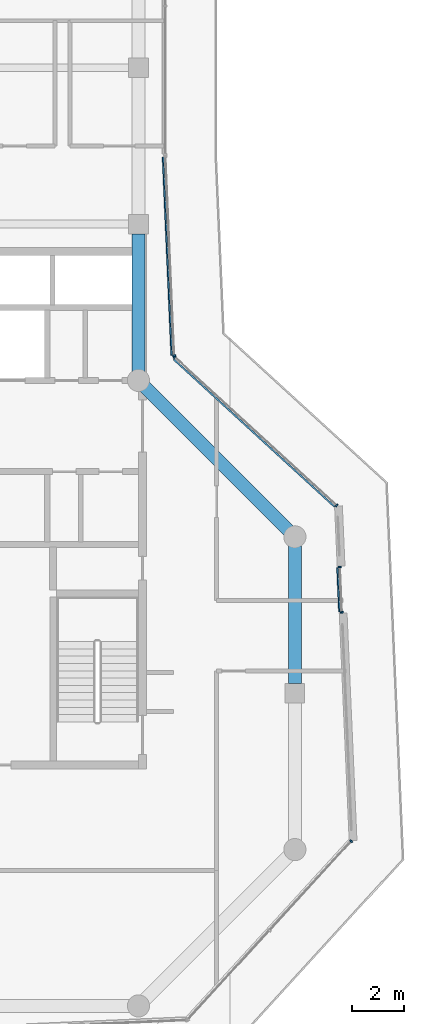
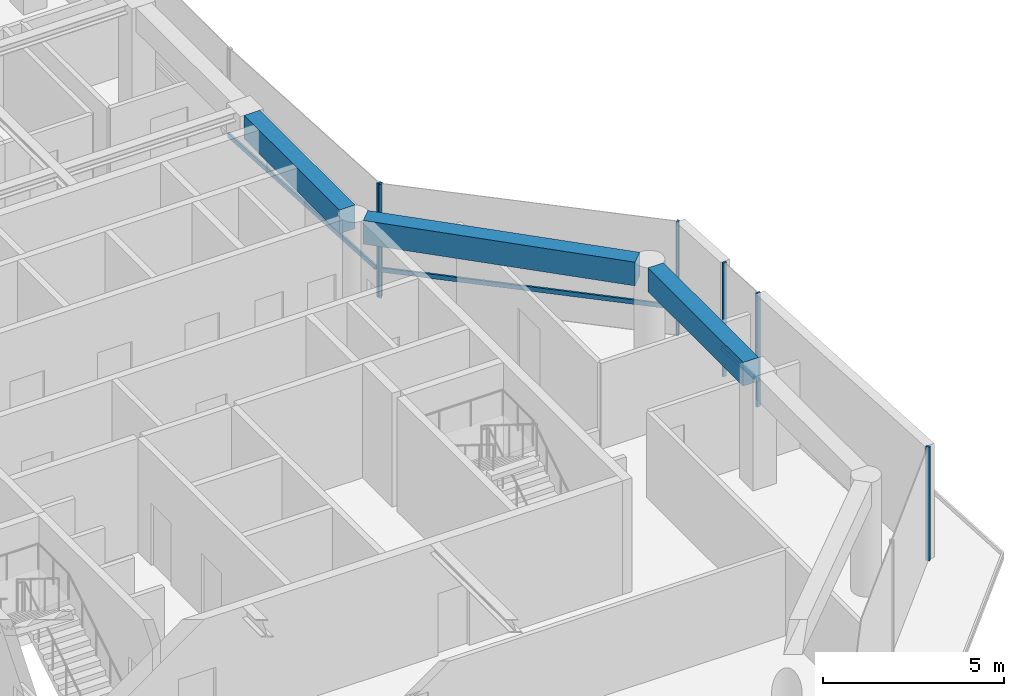
# One storey, part 5 of 20: 9 members, 3 beams, 4 elements without a shape of their own.
"""IFC4 building model written with IfcOpenShell, lengths in metres."""

from ifc_helpers import new_model, si_unit, direction, frame, origin, origin_2d, place, context, subcontext, project, spatial, rectangle, extrude, material, layer, layer_set, material_profile, profile_set, type_object, element, aggregate, save


model = new_model("IFC4")

# Units and contexts
model_context = context("Model", 3, precision=1e-05, world=origin(), true_north=direction((0.0, 1.0)))
body_context = subcontext(model_context, "Body", "Model", "MODEL_VIEW")
ifc_project = project(units=[si_unit("LENGTHUNIT", "METRE"), si_unit("AREAUNIT", "SQUARE_METRE"), si_unit("VOLUMEUNIT", "CUBIC_METRE"), si_unit("PLANEANGLEUNIT", "RADIAN"), si_unit("MASSUNIT", "GRAM", prefix="KILO")], contexts=[model_context])

# Site, building, storey
site_placement = place(None, origin())
site = spatial("IfcSite", under=ifc_project, at=site_placement, CompositionType="ELEMENT")
building_placement = place(site_placement, origin())
building = spatial("IfcBuilding", under=site, at=building_placement, Name="Welwitschia Terrace Campus", CompositionType="ELEMENT")
storey_placement = place(building_placement, frame((0.0, 0.0, 297.800048828125)))
storey = spatial("IfcBuildingStorey", under=building, at=storey_placement, Name="L66", CompositionType="ELEMENT", Elevation=297.800048828125)

# Curtain wall, member
ifc_material_1 = material(Name="Bronze anodised aluminium", Category="aluminium")
ifc_layer = layer(ifc_material_1, 0.1201171875)
ifc_layer_set = layer_set([ifc_layer], Name="Bronze anodised aluminium")
curtain_wall_type = type_object("IfcCurtainWallType", Name="Curtain wall CW2 tower 6000", PredefinedType="NOTDEFINED", material=ifc_layer_set)
curtain_wall_1_placement = place(storey_placement, origin())
curtain_wall_1 = element("IfcCurtainWall", 1, at=curtain_wall_1_placement, inside=storey, type_object=curtain_wall_type, Name="CW L66.2.0", PredefinedType="NOTDEFINED")
ifc_material_2 = material(Name="Bronze anodised aluminium", Category="aluminium")
ifc_material_profile_1 = material_profile(ifc_material_2, rectangle(XDim=0.1201171875, YDim=0.06005859375, at=origin_2d()))
ifc_profile_set_1 = profile_set([ifc_material_profile_1], Name="Bronze anodised aluminium")
member_type_1 = type_object("IfcMemberType", Name="Mullion 60x120", PredefinedType="MULLION", material=ifc_profile_set_1)
member_1_placement = place(storey_placement, frame((32.1630859375, 2.32080078125, 0.0), z_axis=(0.0, 0.0, 1.0), x_axis=(-0.73727733681, 0.675590207616, 0.0)))
member_1 = element("IfcMember", 2, at=member_1_placement, type_object=member_type_1, Name="Mullion L66.2.0.2", PredefinedType="MULLION", context=body_context, shape_type="SweptSolid", body=[
    extrude(rectangle(XDim=0.1201171875, YDim=0.06005859375, at=origin_2d()), origin(), (0.0, 0.0, 1.0), 3.849853515625),
])
aggregate(curtain_wall_1, [member_1])

# Curtain wall, members
curtain_wall_2_placement = place(storey_placement, origin())
curtain_wall_2 = element("IfcCurtainWall", 3, at=curtain_wall_2_placement, inside=storey, type_object=curtain_wall_type, Name="CW L66.3.S0", PredefinedType="NOTDEFINED")
member_2_placement = place(storey_placement, frame((31.80078125, 11.1044921875, 0.0), z_axis=(0.0, 0.0, 1.0), x_axis=(-0.999048221582, -0.043619387365, 0.0)))
member_2 = element("IfcMember", 4, at=member_2_placement, type_object=member_type_1, Name="Mullion L66.3.S0.0", PredefinedType="MULLION", context=body_context, shape_type="SweptSolid", body=[
    extrude(rectangle(XDim=0.1201171875, YDim=0.06005859375, at=origin_2d()), origin(), (0.0, 0.0, 1.0), 3.849853515625),
])
member_3_placement = place(storey_placement, frame((31.724853515625, 12.8427734375, 0.0), z_axis=(0.0, 0.0, 1.0), x_axis=(-0.999048221582, -0.043619387365, 0.0)))
member_3 = element("IfcMember", 5, at=member_3_placement, type_object=member_type_1, Name="Mullion L66.3.S0.1", PredefinedType="MULLION", context=body_context, shape_type="SweptSolid", body=[
    extrude(rectangle(XDim=0.1201171875, YDim=0.06005859375, at=origin_2d()), origin(), (0.0, 0.0, 1.0), 3.849853515625),
])

curtain_wall_3_placement = place(storey_placement, origin())
curtain_wall_3 = element("IfcCurtainWall", 6, at=curtain_wall_3_placement, inside=storey, type_object=curtain_wall_type, Name="CW L66.4.0", PredefinedType="NOTDEFINED")
member_4_placement = place(storey_placement, frame((31.6005859375, 15.2041015625, 0.0), z_axis=(0.0, 0.0, 1.0), x_axis=(-0.675590207616, -0.73727733681, 0.0)))
member_4 = element("IfcMember", 7, at=member_4_placement, type_object=member_type_1, Name="Mullion L66.4.0.0", PredefinedType="MULLION", context=body_context, shape_type="SweptSolid", body=[
    extrude(rectangle(XDim=0.1201171875, YDim=0.06005859375, at=origin_2d()), origin(), (0.0, 0.0, 1.0), 3.849853515625),
])
member_5_placement = place(storey_placement, frame((25.388916015625, 20.896240234375, 0.0), z_axis=(0.0, 0.0, 1.0), x_axis=(-0.675590207616, -0.73727733681, 0.0)))
member_5 = element("IfcMember", 8, at=member_5_placement, type_object=member_type_1, Name="Mullion L66.4.0.1", PredefinedType="MULLION", context=body_context, shape_type="SweptSolid", body=[
    extrude(rectangle(XDim=0.1201171875, YDim=0.06005859375, at=origin_2d()), origin(), (0.0, 0.0, 1.0), 3.849853515625),
])

# Curtain wall, member
curtain_wall_4_placement = place(storey_placement, origin())
curtain_wall_4 = element("IfcCurtainWall", 9, at=curtain_wall_4_placement, inside=storey, type_object=curtain_wall_type, Name="CW L66.5.0", PredefinedType="NOTDEFINED")
member_6_placement = place(storey_placement, frame((25.365478515625, 20.946533203125, 0.0), z_axis=(0.0, 0.0, 1.0), x_axis=(-0.999048221582, -0.043619387365, 0.0)))
member_6 = element("IfcMember", 10, at=member_6_placement, type_object=member_type_1, Name="Mullion L66.5.0.0", PredefinedType="MULLION", context=body_context, shape_type="SweptSolid", body=[
    extrude(rectangle(XDim=0.1201171875, YDim=0.06005859375, at=origin_2d()), origin(), (0.0, 0.0, 1.0), 3.849853515625),
])

# Beams
ifc_material_3 = material(Name="Concrete C50/60", Category="concrete")
ifc_material_profile_2 = material_profile(ifc_material_3, rectangle(XDim=0.5, YDim=0.800048828125, at=origin_2d()))
ifc_profile_set_2 = profile_set([ifc_material_profile_2], Name="Concrete C50/60")
beam_type = type_object("IfcBeamType", Name="Ring spandrel 500x800", PredefinedType="SPANDREL", material=ifc_profile_set_2)
beam_1_placement = place(storey_placement, frame((30.0, 8.37548828125, 3.449951171875), z_axis=(0.0, 1.0, 0.0), x_axis=(-1.0, 0.0, 0.0)))
element("IfcBeam", 11, at=beam_1_placement, inside=storey, type_object=beam_type, Name="Spandrel SP4", PredefinedType="SPANDREL", context=body_context, shape_type="SweptSolid", body=[
    extrude(rectangle(XDim=0.5, YDim=0.800048828125, at=origin_2d()), origin(), (0.0, 0.0, 1.0), 5.280029296875),
])
beam_2_placement = place(storey_placement, frame((29.75634765625, 14.24365234375, 3.449951171875), z_axis=(-0.707106781187, 0.707106781187, 0.0), x_axis=(-0.707106781187, -0.707106781187, 0.0)))
element("IfcBeam", 12, at=beam_2_placement, inside=storey, type_object=beam_type, Name="Spandrel SP4", PredefinedType="SPANDREL", context=body_context, shape_type="SweptSolid", body=[
    extrude(rectangle(XDim=0.5, YDim=0.800048828125, at=origin_2d()), origin(), (0.0, 0.0, 1.0), 7.796142578125),
])
beam_3_placement = place(storey_placement, frame((24.0, 20.344482421875, 3.449951171875), z_axis=(0.0, 1.0, 0.0), x_axis=(-1.0, 0.0, 0.0)))
element("IfcBeam", 13, at=beam_3_placement, inside=storey, type_object=beam_type, Name="Spandrel SP4", PredefinedType="SPANDREL", context=body_context, shape_type="SweptSolid", body=[
    extrude(rectangle(XDim=0.5, YDim=0.800048828125, at=origin_2d()), origin(), (0.0, 0.0, 1.0), 5.280029296875),
])

# Member
ifc_material_4 = material(Name="Bronze anodised aluminium", Category="aluminium")
ifc_material_profile_3 = material_profile(ifc_material_4, rectangle(XDim=0.06005859375, YDim=0.14990234375, at=origin_2d()))
ifc_profile_set_3 = profile_set([ifc_material_profile_3], Name="Bronze anodised aluminium")
member_type_2 = type_object("IfcMemberType", Name="Transom 60x150", PredefinedType="USERDEFINED", material=ifc_profile_set_3)
member_7_placement = place(storey_placement, frame((31.709716796875, 11.130615234375, 1.0), z_axis=(-0.043601208109, 0.99904901514, 0.0), x_axis=(-0.99904901514, -0.043601208109, 0.0)))
member_7 = element("IfcMember", 14, at=member_7_placement, type_object=member_type_2, Name="Transom L66.3.S0", ObjectType="TRANSOM", PredefinedType="USERDEFINED", context=body_context, shape_type="SweptSolid", body=[
    extrude(rectangle(XDim=0.06005859375, YDim=0.14990234375, at=origin_2d()), origin(), (0.0, 0.0, 1.0), 1.679931640625),
])

aggregate(curtain_wall_2, [member_2, member_3, member_7])

member_8_placement = place(storey_placement, frame((31.517822265625, 15.158203125, 1.0), z_axis=(-0.737295863044, 0.675569989223, 0.0), x_axis=(-0.675569989223, -0.737295863044, 0.0)))
member_8 = element("IfcMember", 15, at=member_8_placement, type_object=member_type_2, Name="Transom L66.4.0", ObjectType="TRANSOM", PredefinedType="USERDEFINED", context=body_context, shape_type="SweptSolid", body=[
    extrude(rectangle(XDim=0.06005859375, YDim=0.14990234375, at=origin_2d()), origin(), (0.0, 0.0, 1.0), 8.365234375),
])

aggregate(curtain_wall_3, [member_4, member_5, member_8])

member_9_placement = place(storey_placement, frame((25.274169921875, 20.97265625, 1.0), z_axis=(-0.04362402604, 0.999048019042, 0.0), x_axis=(-0.999048019042, -0.04362402604, 0.0)))
member_9 = element("IfcMember", 16, at=member_9_placement, type_object=member_type_2, Name="Transom L66.5.0", ObjectType="TRANSOM", PredefinedType="USERDEFINED", context=body_context, shape_type="SweptSolid", body=[
    extrude(rectangle(XDim=0.06005859375, YDim=0.14990234375, at=origin_2d()), origin(), (0.0, 0.0, 1.0), 7.60009765625),
])

aggregate(curtain_wall_4, [member_6, member_9])

save(model, "model.ifc")
